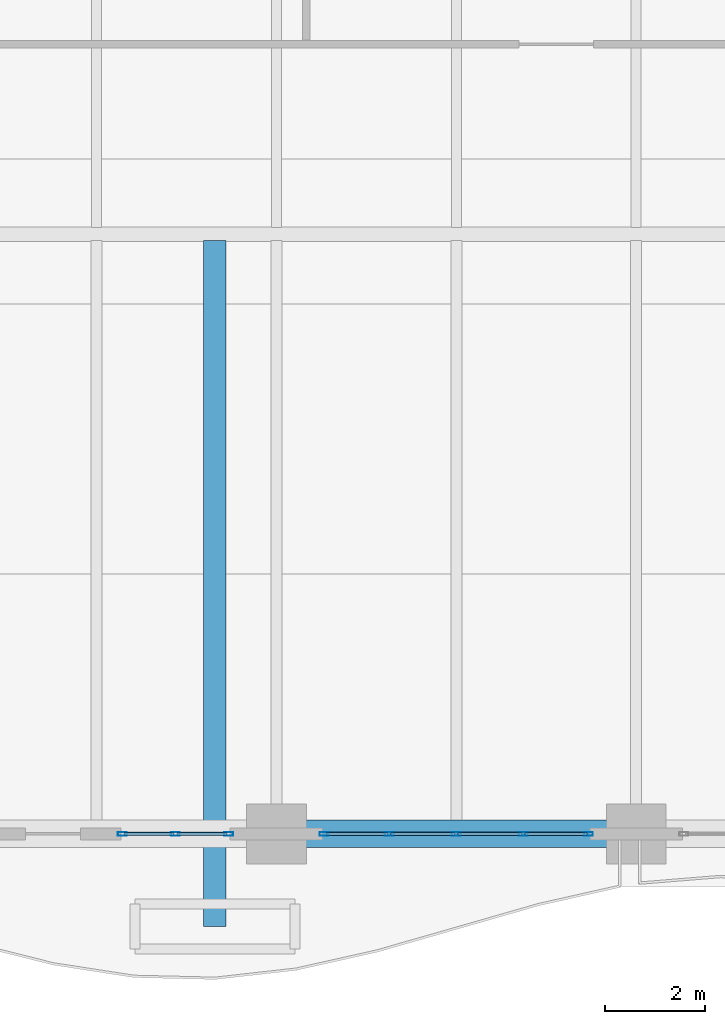
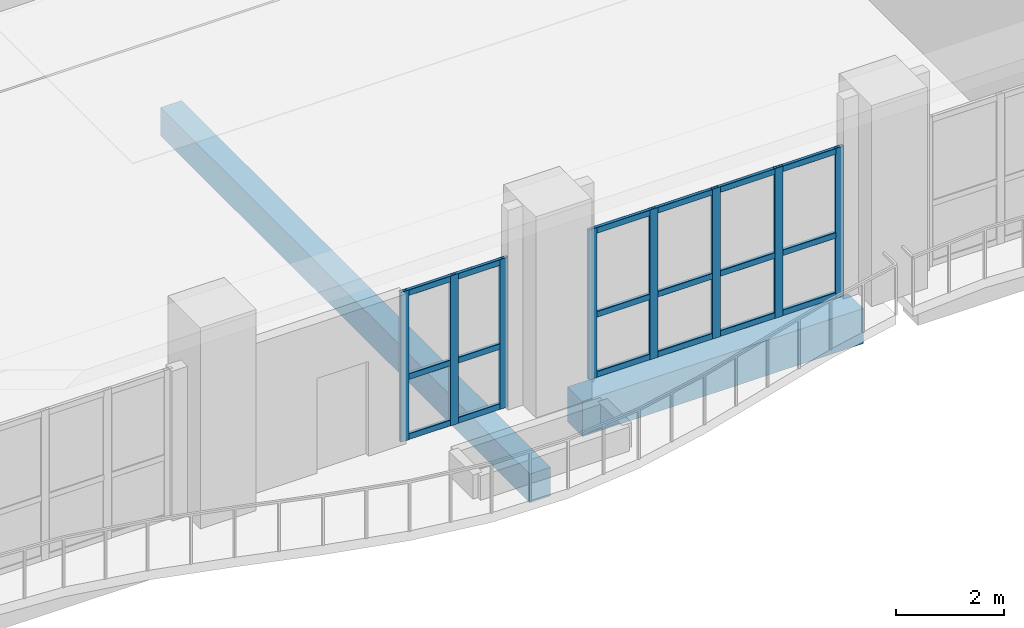
# One storey, part 5 of 37: 26 members, 2 beams, 2 elements without a shape of their own.
"""IFC4 building model written with IfcOpenShell, lengths in metres."""

from ifc_helpers import new_model, si_unit, direction, frame, origin, origin_2d, place, context, subcontext, project, spatial, rectangle, hollow_rectangle, extrude, material, layer, layer_set, material_profile, profile_set, type_object, element, aggregate, save


model = new_model("IFC4")

# Units and contexts
model_context = context("Model", 3, precision=1e-05, world=origin(), true_north=direction((0.0, 1.0)))
body_context = subcontext(model_context, "Body", "Model", "MODEL_VIEW")
ifc_project = project(units=[si_unit("LENGTHUNIT", "METRE"), si_unit("AREAUNIT", "SQUARE_METRE"), si_unit("VOLUMEUNIT", "CUBIC_METRE"), si_unit("PLANEANGLEUNIT", "RADIAN"), si_unit("MASSUNIT", "GRAM", prefix="KILO")], contexts=[model_context])

# Site, building, storey
site_placement = place(None, origin())
site = spatial("IfcSite", under=ifc_project, at=site_placement, CompositionType="ELEMENT")
building_placement = place(site_placement, origin())
building = spatial("IfcBuilding", under=site, at=building_placement, Name="Kaelvorn Grand Hotel", CompositionType="ELEMENT")
storey_placement = place(building_placement, frame((0.0, 0.0, 224.35009765625)))
storey = spatial("IfcBuildingStorey", under=building, at=storey_placement, Name="L55", CompositionType="ELEMENT", Elevation=224.35009765625)

# Beams
ifc_material_1 = material(Name="Concrete C40/50", Category="concrete")
ifc_material_profile_1 = material_profile(ifc_material_1, rectangle(XDim=0.449951171875, YDim=0.64990234375, at=origin_2d()), Name="RC RIB 450x650")
ifc_profile_set_1 = profile_set([ifc_material_profile_1], Name="Concrete C40/50")
beam_type_1 = type_object("IfcBeamType", Name="BM-RIB-450x650-C40", PredefinedType="SPANDREL", material=ifc_profile_set_1)
beam_1_placement = place(storey_placement, frame((22.17138671875, 1.14990234375, -0.545166015625), z_axis=(0.0, 1.0, 0.0), x_axis=(-1.0, 0.0, 0.0)))
element("IfcBeam", 1, at=beam_1_placement, inside=storey, type_object=beam_type_1, Name="L55 Cantilevered Balcony Back-Span Rib RB1-1", PredefinedType="SPANDREL", context=body_context, shape_type="SweptSolid", body=[
    extrude(rectangle(XDim=0.449951171875, YDim=0.64990234375, at=origin_2d()), origin(), (0.0, 0.0, 1.0), 13.718994140625),
])
ifc_material_2 = material(Name="Concrete C50/60", Category="concrete")
ifc_material_profile_2 = material_profile(ifc_material_2, rectangle(XDim=0.550048828125, YDim=0.800048828125, at=origin_2d()), Name="RC SPANDREL 550x800")
ifc_profile_set_2 = profile_set([ifc_material_profile_2], Name="Concrete C50/60")
beam_type_2 = type_object("IfcBeamType", Name="BM-SP-550x800-C50", PredefinedType="SPANDREL", material=ifc_profile_set_2)
beam_2_placement = place(storey_placement, frame((23.985107421875, 3.0, -0.64013671875), z_axis=(1.0, 0.0, 0.0), x_axis=(0.0, 1.0, 0.0)))
element("IfcBeam", 2, at=beam_2_placement, inside=storey, type_object=beam_type_2, Name="L55 South Perimeter Spandrel 04", PredefinedType="SPANDREL", context=body_context, shape_type="SweptSolid", body=[
    extrude(rectangle(XDim=0.550048828125, YDim=0.800048828125, at=origin_2d()), origin(), (0.0, 0.0, 1.0), 6.02978515625),
])

# Curtain wall, members
ifc_material_3 = material(Name="Anodised Aluminium", Category="aluminium")
ifc_layer = layer(ifc_material_3, 0.179931640625)
ifc_layer_set = layer_set([ifc_layer], Name="Anodised Aluminium")
curtain_wall_type = type_object("IfcCurtainWallType", Name="CW-SYS4", PredefinedType="NOTDEFINED", material=ifc_layer_set)
curtain_wall_1_placement = place(storey_placement, origin())
curtain_wall_1 = element("IfcCurtainWall", 3, at=curtain_wall_1_placement, inside=storey, type_object=curtain_wall_type, Name="L55 Unitised Curtain Wall CW4 (CW-L55-SB2-01)", PredefinedType="NOTDEFINED")
ifc_material_profile_3 = material_profile(ifc_material_3, hollow_rectangle(XDim=0.070068359375, YDim=0.179931640625, WallThickness=0.00390625, InnerFilletRadius=0.00390625, OuterFilletRadius=0.008056640625, at=origin_2d()), Name="ALU MULL 70x180")
ifc_profile_set_3 = profile_set([ifc_material_profile_3], Name="Anodised Aluminium")
member_type_1 = type_object("IfcMemberType", Name="CW-SYS4-MULL", PredefinedType="MULLION", material=ifc_profile_set_3)
member_1_placement = place(storey_placement, frame((20.318359375, 3.0, 0.0), z_axis=(0.0, 0.0, 1.0), x_axis=(0.0, 1.0, 0.0)))
member_1 = element("IfcMember", 4, at=member_1_placement, type_object=member_type_1, Name="CW4 mullion 1", PredefinedType="MULLION", context=body_context, shape_type="SweptSolid", body=[
    extrude(hollow_rectangle(XDim=0.070068359375, YDim=0.179931640625, WallThickness=0.00390625, InnerFilletRadius=0.00390625, OuterFilletRadius=0.008056640625, at=origin_2d()), origin(), (0.0, 0.0, 1.0), 3.39990234375),
])
member_2_placement = place(storey_placement, frame((21.381591796875, 3.0, 0.0), z_axis=(0.0, 0.0, 1.0), x_axis=(0.0, 1.0, 0.0)))
member_2 = element("IfcMember", 5, at=member_2_placement, type_object=member_type_1, Name="CW4 mullion 2", PredefinedType="MULLION", context=body_context, shape_type="SweptSolid", body=[
    extrude(hollow_rectangle(XDim=0.070068359375, YDim=0.179931640625, WallThickness=0.00390625, InnerFilletRadius=0.00390625, OuterFilletRadius=0.008056640625, at=origin_2d()), origin(), (0.0, 0.0, 1.0), 3.39990234375),
])
member_3_placement = place(storey_placement, frame((22.445068359375, 3.0, 0.0), z_axis=(0.0, 0.0, 1.0), x_axis=(0.0, 1.0, 0.0)))
member_3 = element("IfcMember", 6, at=member_3_placement, type_object=member_type_1, Name="CW4 mullion 3", PredefinedType="MULLION", context=body_context, shape_type="SweptSolid", body=[
    extrude(hollow_rectangle(XDim=0.070068359375, YDim=0.179931640625, WallThickness=0.00390625, InnerFilletRadius=0.00390625, OuterFilletRadius=0.008056640625, at=origin_2d()), origin(), (0.0, 0.0, 1.0), 3.39990234375),
])

curtain_wall_2_placement = place(storey_placement, origin())
curtain_wall_2 = element("IfcCurtainWall", 7, at=curtain_wall_2_placement, inside=storey, type_object=curtain_wall_type, Name="L55 Unitised Curtain Wall CW4 (CW-L55-SB2-02)", PredefinedType="NOTDEFINED")
member_4_placement = place(storey_placement, frame((24.35498046875, 3.0, 0.0), z_axis=(0.0, 0.0, 1.0), x_axis=(0.0, 1.0, 0.0)))
member_4 = element("IfcMember", 8, at=member_4_placement, type_object=member_type_1, Name="CW4 mullion 1", PredefinedType="MULLION", context=body_context, shape_type="SweptSolid", body=[
    extrude(hollow_rectangle(XDim=0.070068359375, YDim=0.179931640625, WallThickness=0.00390625, InnerFilletRadius=0.00390625, OuterFilletRadius=0.008056640625, at=origin_2d()), origin(), (0.0, 0.0, 1.0), 3.39990234375),
])
member_5_placement = place(storey_placement, frame((25.659912109375, 3.0, 0.0), z_axis=(0.0, 0.0, 1.0), x_axis=(0.0, 1.0, 0.0)))
member_5 = element("IfcMember", 9, at=member_5_placement, type_object=member_type_1, Name="CW4 mullion 2", PredefinedType="MULLION", context=body_context, shape_type="SweptSolid", body=[
    extrude(hollow_rectangle(XDim=0.070068359375, YDim=0.179931640625, WallThickness=0.00390625, InnerFilletRadius=0.00390625, OuterFilletRadius=0.008056640625, at=origin_2d()), origin(), (0.0, 0.0, 1.0), 3.39990234375),
])
member_6_placement = place(storey_placement, frame((27.0, 3.0, 0.0), z_axis=(0.0, 0.0, 1.0), x_axis=(0.0, 1.0, 0.0)))
member_6 = element("IfcMember", 10, at=member_6_placement, type_object=member_type_1, Name="CW4 mullion 3", PredefinedType="MULLION", context=body_context, shape_type="SweptSolid", body=[
    extrude(hollow_rectangle(XDim=0.070068359375, YDim=0.179931640625, WallThickness=0.00390625, InnerFilletRadius=0.00390625, OuterFilletRadius=0.008056640625, at=origin_2d()), origin(), (0.0, 0.0, 1.0), 3.39990234375),
])
member_7_placement = place(storey_placement, frame((28.340087890625, 3.0, 0.0), z_axis=(0.0, 0.0, 1.0), x_axis=(0.0, 1.0, 0.0)))
member_7 = element("IfcMember", 11, at=member_7_placement, type_object=member_type_1, Name="CW4 mullion 4", PredefinedType="MULLION", context=body_context, shape_type="SweptSolid", body=[
    extrude(hollow_rectangle(XDim=0.070068359375, YDim=0.179931640625, WallThickness=0.00390625, InnerFilletRadius=0.00390625, OuterFilletRadius=0.008056640625, at=origin_2d()), origin(), (0.0, 0.0, 1.0), 3.39990234375),
])
member_8_placement = place(storey_placement, frame((29.64501953125, 3.0, 0.0), z_axis=(0.0, 0.0, 1.0), x_axis=(0.0, 1.0, 0.0)))
member_8 = element("IfcMember", 12, at=member_8_placement, type_object=member_type_1, Name="CW4 mullion 5", PredefinedType="MULLION", context=body_context, shape_type="SweptSolid", body=[
    extrude(hollow_rectangle(XDim=0.070068359375, YDim=0.179931640625, WallThickness=0.00390625, InnerFilletRadius=0.00390625, OuterFilletRadius=0.008056640625, at=origin_2d()), origin(), (0.0, 0.0, 1.0), 3.39990234375),
])

# Member
ifc_material_profile_4 = material_profile(ifc_material_3, hollow_rectangle(XDim=0.070068359375, YDim=0.135009765625, WallThickness=0.00341796875, InnerFilletRadius=0.00341796875, OuterFilletRadius=0.007080078125, at=origin_2d()), Name="ALU TRAN 70x135")
ifc_profile_set_4 = profile_set([ifc_material_profile_4], Name="Anodised Aluminium")
member_type_2 = type_object("IfcMemberType", Name="CW-SYS4-TRAN", PredefinedType="NOTDEFINED", material=ifc_profile_set_4)
member_9_placement = place(storey_placement, frame((20.353271484375, 3.0, 0.0673828125), z_axis=(1.0, 0.0, 0.0), x_axis=(0.0, 1.0, 0.0)))
member_9 = element("IfcMember", 13, at=member_9_placement, type_object=member_type_2, Name="CW4 transom 1.1", ObjectType="TRANSOM", PredefinedType="USERDEFINED", context=body_context, shape_type="SweptSolid", body=[
    extrude(hollow_rectangle(XDim=0.070068359375, YDim=0.135009765625, WallThickness=0.00341796875, InnerFilletRadius=0.00341796875, OuterFilletRadius=0.007080078125, at=origin_2d()), origin(), (0.0, 0.0, 1.0), 0.993408203125),
])

member_10_placement = place(storey_placement, frame((20.353271484375, 3.0, 1.427978515625), z_axis=(1.0, 0.0, 0.0), x_axis=(0.0, 1.0, 0.0)))
member_10 = element("IfcMember", 14, at=member_10_placement, type_object=member_type_2, Name="CW4 transom 1.2", ObjectType="TRANSOM", PredefinedType="USERDEFINED", context=body_context, shape_type="SweptSolid", body=[
    extrude(hollow_rectangle(XDim=0.070068359375, YDim=0.135009765625, WallThickness=0.00341796875, InnerFilletRadius=0.00341796875, OuterFilletRadius=0.007080078125, at=origin_2d()), origin(), (0.0, 0.0, 1.0), 0.993408203125),
])

member_11_placement = place(storey_placement, frame((20.353271484375, 3.0, 3.33251953125), z_axis=(1.0, 0.0, 0.0), x_axis=(0.0, 1.0, 0.0)))
member_11 = element("IfcMember", 15, at=member_11_placement, type_object=member_type_2, Name="CW4 transom 1.3", ObjectType="TRANSOM", PredefinedType="USERDEFINED", context=body_context, shape_type="SweptSolid", body=[
    extrude(hollow_rectangle(XDim=0.070068359375, YDim=0.135009765625, WallThickness=0.00341796875, InnerFilletRadius=0.00341796875, OuterFilletRadius=0.007080078125, at=origin_2d()), origin(), (0.0, 0.0, 1.0), 0.993408203125),
])

member_12_placement = place(storey_placement, frame((21.416748046875, 3.0, 0.0673828125), z_axis=(1.0, 0.0, 0.0), x_axis=(0.0, 1.0, 0.0)))
member_12 = element("IfcMember", 16, at=member_12_placement, type_object=member_type_2, Name="CW4 transom 2.1", ObjectType="TRANSOM", PredefinedType="USERDEFINED", context=body_context, shape_type="SweptSolid", body=[
    extrude(hollow_rectangle(XDim=0.070068359375, YDim=0.135009765625, WallThickness=0.00341796875, InnerFilletRadius=0.00341796875, OuterFilletRadius=0.007080078125, at=origin_2d()), origin(), (0.0, 0.0, 1.0), 0.9931640625),
])

member_13_placement = place(storey_placement, frame((21.416748046875, 3.0, 1.427978515625), z_axis=(1.0, 0.0, 0.0), x_axis=(0.0, 1.0, 0.0)))
member_13 = element("IfcMember", 17, at=member_13_placement, type_object=member_type_2, Name="CW4 transom 2.2", ObjectType="TRANSOM", PredefinedType="USERDEFINED", context=body_context, shape_type="SweptSolid", body=[
    extrude(hollow_rectangle(XDim=0.070068359375, YDim=0.135009765625, WallThickness=0.00341796875, InnerFilletRadius=0.00341796875, OuterFilletRadius=0.007080078125, at=origin_2d()), origin(), (0.0, 0.0, 1.0), 0.9931640625),
])

member_14_placement = place(storey_placement, frame((21.416748046875, 3.0, 3.33251953125), z_axis=(1.0, 0.0, 0.0), x_axis=(0.0, 1.0, 0.0)))
member_14 = element("IfcMember", 18, at=member_14_placement, type_object=member_type_2, Name="CW4 transom 2.3", ObjectType="TRANSOM", PredefinedType="USERDEFINED", context=body_context, shape_type="SweptSolid", body=[
    extrude(hollow_rectangle(XDim=0.070068359375, YDim=0.135009765625, WallThickness=0.00341796875, InnerFilletRadius=0.00341796875, OuterFilletRadius=0.007080078125, at=origin_2d()), origin(), (0.0, 0.0, 1.0), 0.9931640625),
])

aggregate(curtain_wall_1, [member_1, member_2, member_3, member_9, member_10, member_11, member_12, member_13, member_14])

member_15_placement = place(storey_placement, frame((24.389892578125, 3.0, 0.0673828125), z_axis=(1.0, 0.0, 0.0), x_axis=(0.0, 1.0, 0.0)))
member_15 = element("IfcMember", 19, at=member_15_placement, type_object=member_type_2, Name="CW4 transom 1.1", ObjectType="TRANSOM", PredefinedType="USERDEFINED", context=body_context, shape_type="SweptSolid", body=[
    extrude(hollow_rectangle(XDim=0.070068359375, YDim=0.135009765625, WallThickness=0.00341796875, InnerFilletRadius=0.00341796875, OuterFilletRadius=0.007080078125, at=origin_2d()), origin(), (0.0, 0.0, 1.0), 1.235107421875),
])

member_16_placement = place(storey_placement, frame((24.389892578125, 3.0, 1.427978515625), z_axis=(1.0, 0.0, 0.0), x_axis=(0.0, 1.0, 0.0)))
member_16 = element("IfcMember", 20, at=member_16_placement, type_object=member_type_2, Name="CW4 transom 1.2", ObjectType="TRANSOM", PredefinedType="USERDEFINED", context=body_context, shape_type="SweptSolid", body=[
    extrude(hollow_rectangle(XDim=0.070068359375, YDim=0.135009765625, WallThickness=0.00341796875, InnerFilletRadius=0.00341796875, OuterFilletRadius=0.007080078125, at=origin_2d()), origin(), (0.0, 0.0, 1.0), 1.235107421875),
])

member_17_placement = place(storey_placement, frame((24.389892578125, 3.0, 3.33251953125), z_axis=(1.0, 0.0, 0.0), x_axis=(0.0, 1.0, 0.0)))
member_17 = element("IfcMember", 21, at=member_17_placement, type_object=member_type_2, Name="CW4 transom 1.3", ObjectType="TRANSOM", PredefinedType="USERDEFINED", context=body_context, shape_type="SweptSolid", body=[
    extrude(hollow_rectangle(XDim=0.070068359375, YDim=0.135009765625, WallThickness=0.00341796875, InnerFilletRadius=0.00341796875, OuterFilletRadius=0.007080078125, at=origin_2d()), origin(), (0.0, 0.0, 1.0), 1.235107421875),
])

member_18_placement = place(storey_placement, frame((25.695068359375, 3.0, 0.0673828125), z_axis=(1.0, 0.0, 0.0), x_axis=(0.0, 1.0, 0.0)))
member_18 = element("IfcMember", 22, at=member_18_placement, type_object=member_type_2, Name="CW4 transom 2.1", ObjectType="TRANSOM", PredefinedType="USERDEFINED", context=body_context, shape_type="SweptSolid", body=[
    extrude(hollow_rectangle(XDim=0.070068359375, YDim=0.135009765625, WallThickness=0.00341796875, InnerFilletRadius=0.00341796875, OuterFilletRadius=0.007080078125, at=origin_2d()), origin(), (0.0, 0.0, 1.0), 1.27001953125),
])

member_19_placement = place(storey_placement, frame((25.695068359375, 3.0, 1.427978515625), z_axis=(1.0, 0.0, 0.0), x_axis=(0.0, 1.0, 0.0)))
member_19 = element("IfcMember", 23, at=member_19_placement, type_object=member_type_2, Name="CW4 transom 2.2", ObjectType="TRANSOM", PredefinedType="USERDEFINED", context=body_context, shape_type="SweptSolid", body=[
    extrude(hollow_rectangle(XDim=0.070068359375, YDim=0.135009765625, WallThickness=0.00341796875, InnerFilletRadius=0.00341796875, OuterFilletRadius=0.007080078125, at=origin_2d()), origin(), (0.0, 0.0, 1.0), 1.27001953125),
])

member_20_placement = place(storey_placement, frame((25.695068359375, 3.0, 3.33251953125), z_axis=(1.0, 0.0, 0.0), x_axis=(0.0, 1.0, 0.0)))
member_20 = element("IfcMember", 24, at=member_20_placement, type_object=member_type_2, Name="CW4 transom 2.3", ObjectType="TRANSOM", PredefinedType="USERDEFINED", context=body_context, shape_type="SweptSolid", body=[
    extrude(hollow_rectangle(XDim=0.070068359375, YDim=0.135009765625, WallThickness=0.00341796875, InnerFilletRadius=0.00341796875, OuterFilletRadius=0.007080078125, at=origin_2d()), origin(), (0.0, 0.0, 1.0), 1.27001953125),
])

member_21_placement = place(storey_placement, frame((27.034912109375, 3.0, 0.0673828125), z_axis=(1.0, 0.0, 0.0), x_axis=(0.0, 1.0, 0.0)))
member_21 = element("IfcMember", 25, at=member_21_placement, type_object=member_type_2, Name="CW4 transom 3.1", ObjectType="TRANSOM", PredefinedType="USERDEFINED", context=body_context, shape_type="SweptSolid", body=[
    extrude(hollow_rectangle(XDim=0.070068359375, YDim=0.135009765625, WallThickness=0.00341796875, InnerFilletRadius=0.00341796875, OuterFilletRadius=0.007080078125, at=origin_2d()), origin(), (0.0, 0.0, 1.0), 1.27001953125),
])

member_22_placement = place(storey_placement, frame((27.034912109375, 3.0, 1.427978515625), z_axis=(1.0, 0.0, 0.0), x_axis=(0.0, 1.0, 0.0)))
member_22 = element("IfcMember", 26, at=member_22_placement, type_object=member_type_2, Name="CW4 transom 3.2", ObjectType="TRANSOM", PredefinedType="USERDEFINED", context=body_context, shape_type="SweptSolid", body=[
    extrude(hollow_rectangle(XDim=0.070068359375, YDim=0.135009765625, WallThickness=0.00341796875, InnerFilletRadius=0.00341796875, OuterFilletRadius=0.007080078125, at=origin_2d()), origin(), (0.0, 0.0, 1.0), 1.27001953125),
])

member_23_placement = place(storey_placement, frame((27.034912109375, 3.0, 3.33251953125), z_axis=(1.0, 0.0, 0.0), x_axis=(0.0, 1.0, 0.0)))
member_23 = element("IfcMember", 27, at=member_23_placement, type_object=member_type_2, Name="CW4 transom 3.3", ObjectType="TRANSOM", PredefinedType="USERDEFINED", context=body_context, shape_type="SweptSolid", body=[
    extrude(hollow_rectangle(XDim=0.070068359375, YDim=0.135009765625, WallThickness=0.00341796875, InnerFilletRadius=0.00341796875, OuterFilletRadius=0.007080078125, at=origin_2d()), origin(), (0.0, 0.0, 1.0), 1.27001953125),
])

member_24_placement = place(storey_placement, frame((28.375, 3.0, 0.0673828125), z_axis=(1.0, 0.0, 0.0), x_axis=(0.0, 1.0, 0.0)))
member_24 = element("IfcMember", 28, at=member_24_placement, type_object=member_type_2, Name="CW4 transom 4.1", ObjectType="TRANSOM", PredefinedType="USERDEFINED", context=body_context, shape_type="SweptSolid", body=[
    extrude(hollow_rectangle(XDim=0.070068359375, YDim=0.135009765625, WallThickness=0.00341796875, InnerFilletRadius=0.00341796875, OuterFilletRadius=0.007080078125, at=origin_2d()), origin(), (0.0, 0.0, 1.0), 1.235107421875),
])

member_25_placement = place(storey_placement, frame((28.375, 3.0, 1.427978515625), z_axis=(1.0, 0.0, 0.0), x_axis=(0.0, 1.0, 0.0)))
member_25 = element("IfcMember", 29, at=member_25_placement, type_object=member_type_2, Name="CW4 transom 4.2", ObjectType="TRANSOM", PredefinedType="USERDEFINED", context=body_context, shape_type="SweptSolid", body=[
    extrude(hollow_rectangle(XDim=0.070068359375, YDim=0.135009765625, WallThickness=0.00341796875, InnerFilletRadius=0.00341796875, OuterFilletRadius=0.007080078125, at=origin_2d()), origin(), (0.0, 0.0, 1.0), 1.235107421875),
])

member_26_placement = place(storey_placement, frame((28.375, 3.0, 3.33251953125), z_axis=(1.0, 0.0, 0.0), x_axis=(0.0, 1.0, 0.0)))
member_26 = element("IfcMember", 30, at=member_26_placement, type_object=member_type_2, Name="CW4 transom 4.3", ObjectType="TRANSOM", PredefinedType="USERDEFINED", context=body_context, shape_type="SweptSolid", body=[
    extrude(hollow_rectangle(XDim=0.070068359375, YDim=0.135009765625, WallThickness=0.00341796875, InnerFilletRadius=0.00341796875, OuterFilletRadius=0.007080078125, at=origin_2d()), origin(), (0.0, 0.0, 1.0), 1.235107421875),
])

aggregate(curtain_wall_2, [member_4, member_5, member_6, member_7, member_8, member_15, member_16, member_17, member_18, member_19, member_20, member_21, member_22, member_23, member_24, member_25, member_26])

save(model, "model.ifc")
